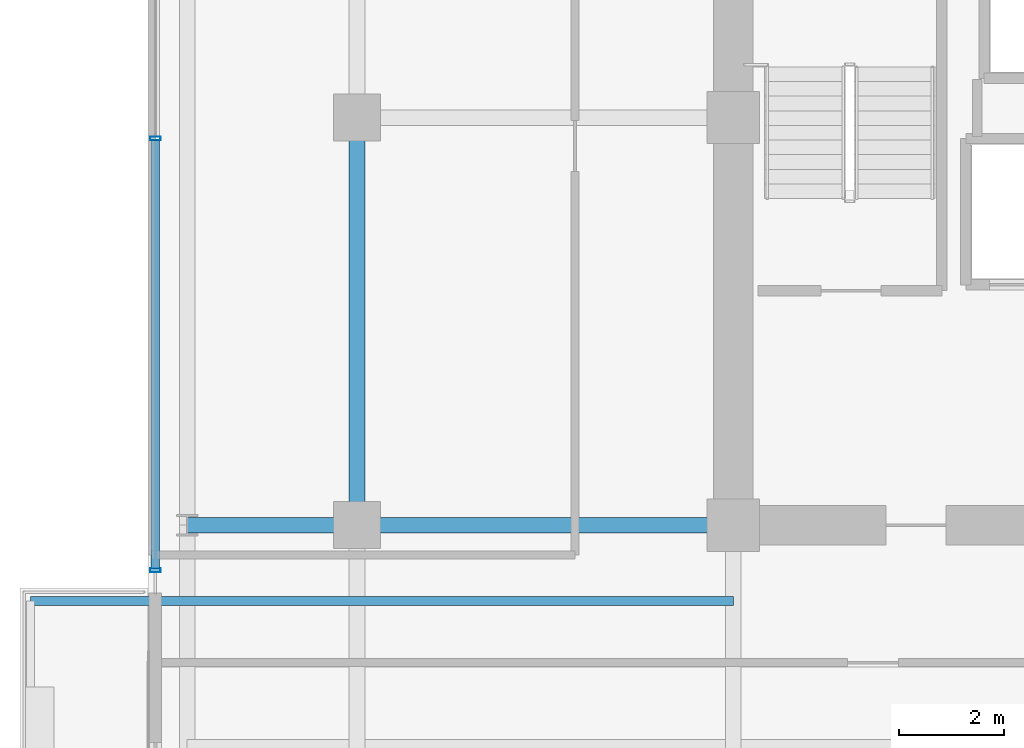
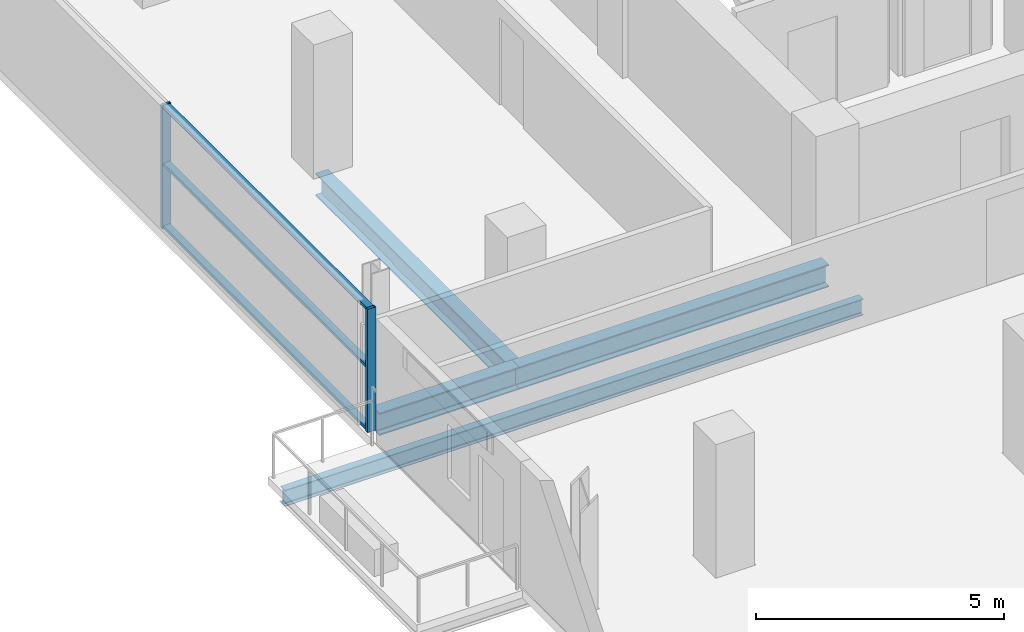
# One storey, part 5 of 22: 5 members, 4 beams, 1 element without a shape of its own.
"""IFC4 building model written with IfcOpenShell, lengths in metres."""

from ifc_helpers import new_model, si_unit, direction, frame, origin, origin_2d, place, context, subcontext, project, spatial, hollow_rectangle, i_section, extrude, source, transform, mapped, material, layer, layer_set, material_profile, profile_set, type_object, element, aggregate, save


model = new_model("IFC4")

# Units and contexts
model_context = context("Model", 3, precision=1e-05, world=origin(), true_north=direction((0.0, 1.0)))
body_context = subcontext(model_context, "Body", "Model", "MODEL_VIEW")
ifc_project = project(units=[si_unit("LENGTHUNIT", "METRE"), si_unit("AREAUNIT", "SQUARE_METRE"), si_unit("VOLUMEUNIT", "CUBIC_METRE"), si_unit("PLANEANGLEUNIT", "RADIAN"), si_unit("MASSUNIT", "GRAM", prefix="KILO")], contexts=[model_context])

# Site, building, storey
site_placement = place(None, origin())
site = spatial("IfcSite", under=ifc_project, at=site_placement, CompositionType="ELEMENT")
building_placement = place(site_placement, origin())
building = spatial("IfcBuilding", under=site, at=building_placement, Name="Zarnakvel Exchange Tower", CompositionType="ELEMENT")
storey_placement = place(building_placement, frame((0.0, 0.0, 136.300048828125)))
storey = spatial("IfcBuildingStorey", under=building, at=storey_placement, Name="L38", CompositionType="ELEMENT", Elevation=136.300048828125)

# Beams
ifc_material_1 = material(Name="Steel S355", Category="steel")
ifc_material_profile_1 = material_profile(ifc_material_1, i_section(OverallWidth=0.179931640625, OverallDepth=0.39990234375, WebThickness=0.008544921875, FlangeThickness=0.013427734375, FilletRadius=0.02099609375, at=origin_2d()))
ifc_profile_set_1 = profile_set([ifc_material_profile_1], Name="Steel S355")
beam_type_1 = type_object("IfcBeamType", Name="B-06", PredefinedType="JOIST", material=ifc_profile_set_1)
beam_1_placement = place(storey_placement, frame((-14.39990234375, -2.64990234375, -0.425048828125), z_axis=(-1.0, 0.0, 0.0), x_axis=(0.0, -1.0, 0.0)))
element("IfcBeam", 1, at=beam_1_placement, inside=storey, type_object=beam_type_1, Name="L38 Continuous West Loggia Beam N", PredefinedType="JOIST", context=body_context, shape_type="SweptSolid", body=[
    extrude(i_section(OverallWidth=0.179931640625, OverallDepth=0.39990234375, WebThickness=0.008544921875, FlangeThickness=0.013427734375, FilletRadius=0.02099609375, at=origin_2d()), origin(), (0.0, 0.0, 1.0), 13.4501953125),
])
ifc_material_profile_2 = material_profile(ifc_material_1, i_section(OverallWidth=0.300048828125, OverallDepth=0.550048828125, WebThickness=0.014892578125, FlangeThickness=0.029052734375, FilletRadius=0.027099609375, at=origin_2d()))
ifc_profile_set_2 = profile_set([ifc_material_profile_2], Name="Steel S355")
beam_type_2 = type_object("IfcBeamType", Name="G-05", PredefinedType="BEAM", material=ifc_profile_set_2)
beam_2_placement = place(storey_placement, frame((-24.85009765625, -1.199951171875, -0.5), z_axis=(1.0, 0.0, 0.0), x_axis=(0.0, 1.0, 0.0)))
element("IfcBeam", 2, at=beam_2_placement, inside=storey, type_object=beam_type_2, Name="L38 Tower E-W Frame Beam", PredefinedType="BEAM", context=body_context, shape_type="SweptSolid", body=[
    extrude(i_section(OverallWidth=0.300048828125, OverallDepth=0.550048828125, WebThickness=0.014892578125, FlangeThickness=0.029052734375, FilletRadius=0.027099609375, at=origin_2d()), origin(), (0.0, 0.0, 1.0), 3.25),
])
beam_3_placement = place(storey_placement, frame((-21.60009765625, -1.199951171875, -0.5), z_axis=(1.0, 0.0, 0.0), x_axis=(0.0, 1.0, 0.0)))
element("IfcBeam", 3, at=beam_3_placement, inside=storey, type_object=beam_type_2, Name="L38 Tower E-W Frame Beam", PredefinedType="BEAM", context=body_context, shape_type="SweptSolid", body=[
    extrude(i_section(OverallWidth=0.300048828125, OverallDepth=0.550048828125, WebThickness=0.014892578125, FlangeThickness=0.029052734375, FilletRadius=0.027099609375, at=origin_2d()), origin(), (0.0, 0.0, 1.0), 7.2001953125),
])
beam_4_placement = place(storey_placement, frame((-21.60009765625, -1.199951171875, -0.5), z_axis=(0.0, 1.0, 0.0), x_axis=(-1.0, 0.0, 0.0)))
element("IfcBeam", 4, at=beam_4_placement, inside=storey, type_object=beam_type_2, Name="L38 Tower N-S Frame Beam", PredefinedType="BEAM", context=body_context, shape_type="SweptSolid", body=[
    extrude(i_section(OverallWidth=0.300048828125, OverallDepth=0.550048828125, WebThickness=0.014892578125, FlangeThickness=0.029052734375, FilletRadius=0.027099609375, at=origin_2d()), origin(), (0.0, 0.0, 1.0), 7.800048828125),
])

# Curtain wall, members
ifc_material_2 = material(Name="Architectural Bronze Anodised Aluminium", Category="aluminium")
ifc_layer = layer(ifc_material_2, 0.199951171875)
ifc_layer_set = layer_set([ifc_layer], Name="Architectural Bronze Anodised Aluminium")
curtain_wall_type = type_object("IfcCurtainWallType", Name="CW-04", PredefinedType="NOTDEFINED", material=ifc_layer_set)
curtain_wall_placement = place(storey_placement, origin())
curtain_wall = element("IfcCurtainWall", 5, at=curtain_wall_placement, inside=storey, type_object=curtain_wall_type, Name="L38 Curtain Wall CW-L38-WN (CW-04)", PredefinedType="NOTDEFINED")
ifc_material_profile_3 = material_profile(ifc_material_2, hollow_rectangle(XDim=0.199951171875, YDim=0.074951171875, WallThickness=0.0048828125, at=origin_2d()))
ifc_profile_set_3 = profile_set([ifc_material_profile_3], Name="Architectural Bronze Anodised Aluminium")
member_type_1 = type_object("IfcMemberType", Name="CWM-04", PredefinedType="MULLION", material=ifc_profile_set_3)
shared_shape_1 = source(origin(), body_context, "Body", "SweptSolid", [
    extrude(hollow_rectangle(XDim=0.199951171875, YDim=0.074951171875, WallThickness=0.0048828125, at=origin_2d()), origin(), (0.0, 0.0, 1.0), 3.030029296875),
])
member_1_placement = place(storey_placement, frame((-25.4599609375, -2.0625, 0.0), z_axis=(0.0, 0.0, 1.0), x_axis=(-1.0, 0.0, 0.0)))
member_1 = element("IfcMember", 6, at=member_1_placement, type_object=member_type_1, Name="CW-04 mullion 1", PredefinedType="MULLION", context=body_context, shape_type="MappedRepresentation", body=[
    mapped(shared_shape_1, transform((0.0, 0.0, 0.0), x_axis=(1.0, 0.0, 0.0), y_axis=(0.0, 1.0, 0.0), z_axis=(0.0, 0.0, 1.0), scale=1.0)),
])
member_2_placement = place(storey_placement, frame((-25.4599609375, 6.199951171875, 0.0), z_axis=(0.0, 0.0, 1.0), x_axis=(-1.0, 0.0, 0.0)))
member_2 = element("IfcMember", 7, at=member_2_placement, type_object=member_type_1, Name="CW-04 mullion 2", PredefinedType="MULLION", context=body_context, shape_type="MappedRepresentation", body=[
    mapped(shared_shape_1, transform((0.0, 0.0, 0.0), x_axis=(1.0, 0.0, 0.0), y_axis=(0.0, 1.0, 0.0), z_axis=(0.0, 0.0, 1.0), scale=1.0)),
])
ifc_material_profile_4 = material_profile(ifc_material_2, hollow_rectangle(XDim=0.159912109375, YDim=0.074951171875, WallThickness=0.00390625, at=origin_2d()))
ifc_profile_set_4 = profile_set([ifc_material_profile_4], Name="Architectural Bronze Anodised Aluminium")
member_type_2 = type_object("IfcMemberType", Name="CWT-04", PredefinedType="USERDEFINED", material=ifc_profile_set_4)
shared_shape_2 = source(origin(), body_context, "Body", "SweptSolid", [
    extrude(hollow_rectangle(XDim=0.159912109375, YDim=0.074951171875, WallThickness=0.00390625, at=origin_2d()), origin(), (0.0, 0.0, 1.0), 8.1875),
])
member_3_placement = place(storey_placement, frame((-25.4599609375, -2.02490234375, 0.037353515625), z_axis=(0.0, 1.0, 0.0), x_axis=(-1.0, 0.0, 0.0)))
member_3 = element("IfcMember", 8, at=member_3_placement, type_object=member_type_2, Name="CW-04 transom 1.1", ObjectType="TRANSOM", PredefinedType="USERDEFINED", context=body_context, shape_type="MappedRepresentation", body=[
    mapped(shared_shape_2, transform((0.0, 0.0, 0.0), x_axis=(1.0, 0.0, 0.0), y_axis=(0.0, 1.0, 0.0), z_axis=(0.0, 0.0, 1.0), scale=1.0)),
])
member_4_placement = place(storey_placement, frame((-25.4599609375, -2.02490234375, 1.575439453125), z_axis=(0.0, 1.0, 0.0), x_axis=(-1.0, 0.0, 0.0)))
member_4 = element("IfcMember", 9, at=member_4_placement, type_object=member_type_2, Name="CW-04 transom 1.2", ObjectType="TRANSOM", PredefinedType="USERDEFINED", context=body_context, shape_type="MappedRepresentation", body=[
    mapped(shared_shape_2, transform((0.0, 0.0, 0.0), x_axis=(1.0, 0.0, 0.0), y_axis=(0.0, 1.0, 0.0), z_axis=(0.0, 0.0, 1.0), scale=1.0)),
])
member_5_placement = place(storey_placement, frame((-25.4599609375, -2.02490234375, 2.992431640625), z_axis=(0.0, 1.0, 0.0), x_axis=(-1.0, 0.0, 0.0)))
member_5 = element("IfcMember", 10, at=member_5_placement, type_object=member_type_2, Name="CW-04 transom 1.3", ObjectType="TRANSOM", PredefinedType="USERDEFINED", context=body_context, shape_type="MappedRepresentation", body=[
    mapped(shared_shape_2, transform((0.0, 0.0, 0.0), x_axis=(1.0, 0.0, 0.0), y_axis=(0.0, 1.0, 0.0), z_axis=(0.0, 0.0, 1.0), scale=1.0)),
])
aggregate(curtain_wall, [member_1, member_2, member_3, member_4, member_5])

save(model, "model.ifc")
